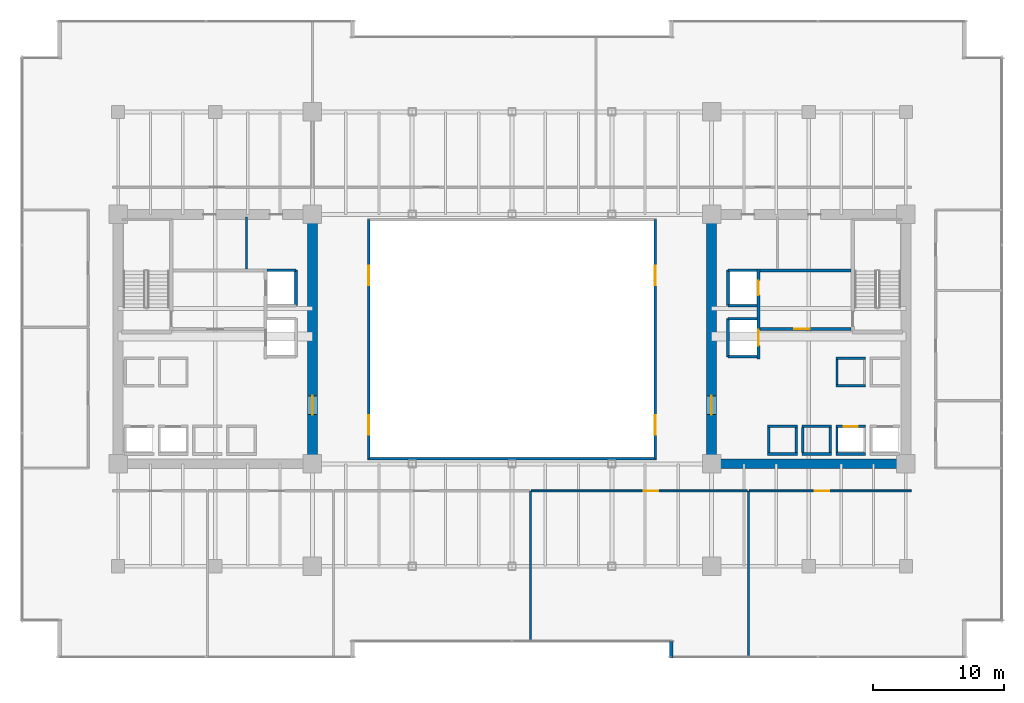
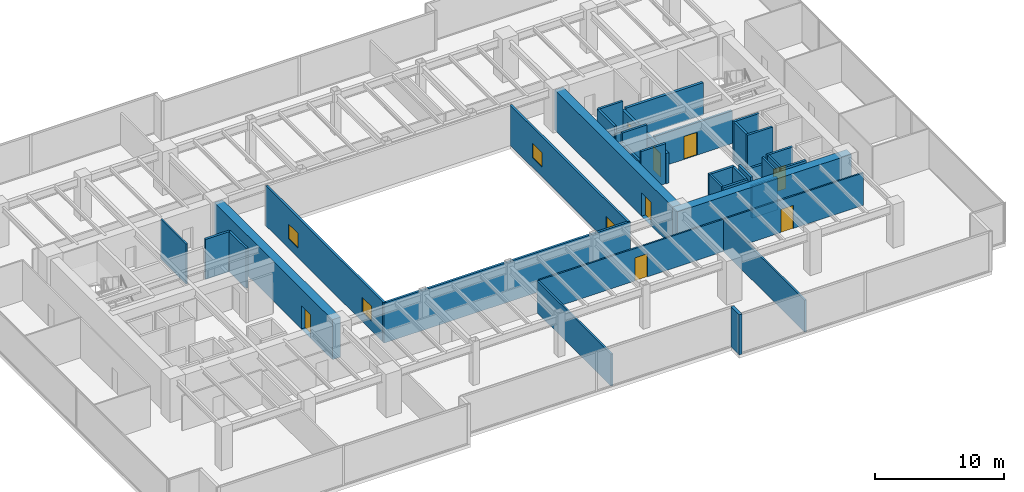
# One storey, part 30 of 35: 37 walls, 8 doors, 4 windows, 12 openings.
"""IFC4 building model written with IfcOpenShell, lengths in metres."""

from ifc_helpers import new_model, si_unit, direction, frame, frame_2d, origin, place, context, subcontext, project, spatial, rectangle, extrude, source, transform, mapped, material, layer, layer_set, type_object, type_shapes, element, fill, save


model = new_model("IFC4")

# Units and contexts
model_context = context("Model", 3, precision=1e-05, world=origin(), true_north=direction((0.0, 1.0)))
body_context = subcontext(model_context, "Body", "Model", "MODEL_VIEW")
ifc_project = project(units=[si_unit("LENGTHUNIT", "METRE"), si_unit("AREAUNIT", "SQUARE_METRE"), si_unit("VOLUMEUNIT", "CUBIC_METRE"), si_unit("PLANEANGLEUNIT", "RADIAN"), si_unit("MASSUNIT", "GRAM", prefix="KILO")], contexts=[model_context])

# Site, building, storey
site_placement = place(None, origin())
site = spatial("IfcSite", under=ifc_project, at=site_placement, CompositionType="ELEMENT")
building_placement = place(site_placement, origin())
building = spatial("IfcBuilding", under=site, at=building_placement, Name="Haelvirn Gate Laboratories", CompositionType="ELEMENT")
storey_placement = place(building_placement, frame((0.0, 0.0, 41.60009765625)))
storey = spatial("IfcBuildingStorey", under=building, at=storey_placement, Name="L10", CompositionType="ELEMENT", Elevation=41.60009765625)

# Walls
ifc_material_1 = material(Name="Thermally-broken bronze aluminium rainscreen & mineral wool", Category="aluminium")
ifc_layer_1 = layer(ifc_material_1, 0.280029296875, Name="EW-TERR-280")
ifc_layer_set_1 = layer_set([ifc_layer_1], Name="Thermally-broken bronze aluminium rainscreen & mineral wool")
wall_type_1 = type_object("IfcWallType", Name="EW-TERR-280", PredefinedType="STANDARD", material=ifc_layer_set_1)
wall_1_placement = place(storey_placement, frame((49.5400390625, 1.2880859375, 0.0), z_axis=(0.0, 0.0, 1.0), x_axis=(0.0, -1.0, 0.0)))
element("IfcWall", 1, at=wall_1_placement, inside=storey, type_object=wall_type_1, Name="L10 Atrium Recess Bronze Return Wall 03", PredefinedType="STANDARD", context=body_context, shape_type="SweptSolid", body=[
    extrude(rectangle(XDim=1.2880859375, YDim=0.280029296875, at=frame_2d((0.64404296875, 0.0))), origin(), (0.0, 0.0, 1.0), 3.77978515625),
])
ifc_material_2 = material(Name="Double-layer acoustic gypsum laboratory partition", Category="gypsum")
ifc_layer_2 = layer(ifc_material_2, 0.159912109375, Name="IW-ACOUST-160")
ifc_layer_set_2 = layer_set([ifc_layer_2], Name="Double-layer acoustic gypsum laboratory partition")
wall_type_2 = type_object("IfcWallType", Name="IW-ACOUST-160", PredefinedType="PARTITIONING", material=ifc_layer_set_2)
wall_2_placement = place(storey_placement, frame((38.800048828125, 1.31005859375, 0.0), z_axis=(0.0, 0.0, 1.0), x_axis=(0.0, 1.0, 0.0)))
element("IfcWall", 2, at=wall_2_placement, inside=storey, type_object=wall_type_2, Name="L10 Interior Wall IW-L10-SDIV-03", PredefinedType="PARTITIONING", context=body_context, shape_type="SweptSolid", body=[
    extrude(rectangle(XDim=11.429931640625, YDim=0.159912109375, at=frame_2d((5.71484375, 0.0))), origin(), (0.0, 0.0, 1.0), 3.014892578125),
])
wall_3_placement = place(storey_placement, frame((55.39990234375, 0.110107421875, 0.0), z_axis=(0.0, 0.0, 1.0), x_axis=(0.0, 1.0, 0.0)))
element("IfcWall", 3, at=wall_3_placement, inside=storey, type_object=wall_type_2, Name="L10 Interior Wall IW-L10-SDIV-04", PredefinedType="PARTITIONING", context=body_context, shape_type="SweptSolid", body=[
    extrude(rectangle(XDim=12.6298828125, YDim=0.159912109375, at=frame_2d((6.31494140625, 0.0))), origin(), (0.0, 0.0, 1.0), 3.014892578125),
])

# Wall, openings, windows
ifc_material_3 = material(Name="Tempered fire-rated borosilicate glass & anodised aluminium", Category="aluminium")
ifc_layer_3 = layer(ifc_material_3, 0.195068359375, Name="IW-GLAZ-200")
ifc_layer_set_3 = layer_set([ifc_layer_3], Name="Tempered fire-rated borosilicate glass & anodised aluminium")
wall_type_3 = type_object("IfcWallType", Name="IW-GLAZ-200", PredefinedType="SOLIDWALL", material=ifc_layer_set_3)
wall_4_placement = place(storey_placement, frame((26.5, 15.199951171875, 0.0), z_axis=(0.0, 0.0, 1.0), x_axis=(0.0, 1.0, 0.0)))
wall_4 = element("IfcWall", 4, at=wall_4_placement, inside=storey, type_object=wall_type_3, Name="L10 Interior Wall IW-L10-ATRIUM-W", PredefinedType="SOLIDWALL", context=body_context, shape_type="SweptSolid", body=[
    extrude(rectangle(XDim=18.199951171875, YDim=0.195068359375, at=frame_2d((9.10009765625, 0.0))), origin(), (0.0, 0.0, 1.0), 3.77978515625),
])
opening_1_placement = place(wall_4_placement, frame((1.800048828125, 0.0, 0.89990234375)))
opening_1 = element("IfcOpeningElement", 5, at=opening_1_placement, cuts=wall_4, Name="Opening W5", PredefinedType="OPENING", context=body_context, shape_type="SweptSolid", body=[
    extrude(rectangle(XDim=1.5, YDim=1.39990234375, at=frame_2d((0.75, 0.699951171875))), frame((0.0, 0.107421875, 0.0), z_axis=(0.0, -1.0, 0.0), x_axis=(1.0, 0.0, 0.0)), (0.0, 0.0, 1.0), 0.215087890625),
])
opening_2_placement = place(wall_4_placement, frame((13.199951171875, 0.0, 0.89990234375)))
opening_2 = element("IfcOpeningElement", 6, at=opening_2_placement, cuts=wall_4, Name="Opening W5", PredefinedType="OPENING", context=body_context, shape_type="SweptSolid", body=[
    extrude(rectangle(XDim=1.5, YDim=1.39990234375, at=frame_2d((0.75, 0.699951171875))), frame((0.0, 0.107421875, 0.0), z_axis=(0.0, -1.0, 0.0), x_axis=(1.0, 0.0, 0.0)), (0.0, 0.0, 1.0), 0.215087890625),
])
ifc_material_4 = material(Name="Fire-rated EI 120 borosilicate atrium vision glazing", Category="glass")
window_type = type_object("IfcWindowType", Name="WN-ATR-1500", PartitioningType="SINGLE_PANEL", PredefinedType="WINDOW", material=ifc_material_4)
shared_shape_1 = source(origin(), body_context, "Body", "SweptSolid", [
    extrude(rectangle(XDim=1.5, YDim=1.39990234375, at=frame_2d((0.75, 0.699951171875))), frame((0.0, 0.030029296875, 0.0), z_axis=(0.0, -1.0, 0.0), x_axis=(1.0, 0.0, 0.0)), (0.0, 0.0, 1.0), 0.06005859375),
])
type_shapes(window_type, [shared_shape_1])
window_1_placement = place(opening_1_placement, origin())
window_1 = element("IfcWindow", 7, at=window_1_placement, inside=storey, type_object=window_type, Name="L10 Atrium Observation Window 1", OverallHeight=1.39990234375, OverallWidth=1.5, PartitioningType="SINGLE_PANEL", PredefinedType="WINDOW", context=body_context, shape_type="MappedRepresentation", body=[
    mapped(shared_shape_1, transform((0.0, 0.0, 0.0), scale=1.0)),
])
fill(opening_1, window_1)
window_2_placement = place(opening_2_placement, origin())
window_2 = element("IfcWindow", 8, at=window_2_placement, inside=storey, type_object=window_type, Name="L10 Atrium Observation Window 2", OverallHeight=1.39990234375, OverallWidth=1.5, PartitioningType="SINGLE_PANEL", PredefinedType="WINDOW", context=body_context, shape_type="MappedRepresentation", body=[
    mapped(shared_shape_1, transform((0.0, 0.0, 0.0), scale=1.0)),
])
fill(opening_2, window_2)

wall_5_placement = place(storey_placement, frame((48.300048828125, 15.199951171875, 0.0), z_axis=(0.0, 0.0, 1.0), x_axis=(0.0, 1.0, 0.0)))
wall_5 = element("IfcWall", 9, at=wall_5_placement, inside=storey, type_object=wall_type_3, Name="L10 Interior Wall IW-L10-ATRIUM-E", PredefinedType="SOLIDWALL", context=body_context, shape_type="SweptSolid", body=[
    extrude(rectangle(XDim=18.199951171875, YDim=0.195068359375, at=frame_2d((9.10009765625, 0.0))), origin(), (0.0, 0.0, 1.0), 3.77978515625),
])
opening_3_placement = place(wall_5_placement, frame((1.800048828125, 0.0, 0.89990234375)))
opening_3 = element("IfcOpeningElement", 10, at=opening_3_placement, cuts=wall_5, Name="Opening W5", PredefinedType="OPENING", context=body_context, shape_type="SweptSolid", body=[
    extrude(rectangle(XDim=1.5, YDim=1.39990234375, at=frame_2d((0.75, 0.699951171875))), frame((0.0, 0.107421875, 0.0), z_axis=(0.0, -1.0, 0.0), x_axis=(1.0, 0.0, 0.0)), (0.0, 0.0, 1.0), 0.215087890625),
])
opening_4_placement = place(wall_5_placement, frame((13.199951171875, 0.0, 0.89990234375)))
opening_4 = element("IfcOpeningElement", 11, at=opening_4_placement, cuts=wall_5, Name="Opening W5", PredefinedType="OPENING", context=body_context, shape_type="SweptSolid", body=[
    extrude(rectangle(XDim=1.5, YDim=1.39990234375, at=frame_2d((0.75, 0.699951171875))), frame((0.0, 0.107421875, 0.0), z_axis=(0.0, -1.0, 0.0), x_axis=(1.0, 0.0, 0.0)), (0.0, 0.0, 1.0), 0.215087890625),
])
window_3_placement = place(opening_3_placement, origin())
window_3 = element("IfcWindow", 12, at=window_3_placement, inside=storey, type_object=window_type, Name="L10 Atrium Observation Window 1", OverallHeight=1.39990234375, OverallWidth=1.5, PartitioningType="SINGLE_PANEL", PredefinedType="WINDOW", context=body_context, shape_type="MappedRepresentation", body=[
    mapped(shared_shape_1, transform((0.0, 0.0, 0.0), scale=1.0)),
])
fill(opening_3, window_3)
window_4_placement = place(opening_4_placement, origin())
window_4 = element("IfcWindow", 13, at=window_4_placement, inside=storey, type_object=window_type, Name="L10 Atrium Observation Window 2", OverallHeight=1.39990234375, OverallWidth=1.5, PartitioningType="SINGLE_PANEL", PredefinedType="WINDOW", context=body_context, shape_type="MappedRepresentation", body=[
    mapped(shared_shape_1, transform((0.0, 0.0, 0.0), scale=1.0)),
])
fill(opening_4, window_4)

# Wall
wall_6_placement = place(storey_placement, frame((26.39990234375, 15.199951171875, 0.0), z_axis=(0.0, 0.0, 1.0), x_axis=(1.0, 0.0, 0.0)))
element("IfcWall", 14, at=wall_6_placement, inside=storey, type_object=wall_type_3, Name="L10 Interior Wall IW-L10-ATRIUM-S", PredefinedType="SOLIDWALL", context=body_context, shape_type="SweptSolid", body=[
    extrude(rectangle(XDim=22.0, YDim=0.195068359375, at=frame_2d((11.0, 0.0))), origin(), (0.0, 0.0, 1.0), 3.77978515625),
])

# Wall, opening, door
ifc_material_5 = material(Name="Acoustic mineral-wool gypsum board partition", Category="gypsum")
ifc_layer_4 = layer(ifc_material_5, 0.139892578125, Name="IW-PART-140")
ifc_layer_set_4 = layer_set([ifc_layer_4], Name="Acoustic mineral-wool gypsum board partition")
wall_type_4 = type_object("IfcWallType", Name="IW-PART-140", PredefinedType="PARTITIONING", material=ifc_layer_set_4)
wall_7_placement = place(storey_placement, frame((38.8798828125, 12.739990234375, 0.0), z_axis=(0.0, 0.0, 1.0), x_axis=(1.0, 0.0, 0.0)))
wall_7 = element("IfcWall", 15, at=wall_7_placement, inside=storey, type_object=wall_type_4, Name="L10 Interior Wall IW-L10-SCORR-04", PredefinedType="PARTITIONING", context=body_context, shape_type="SweptSolid", body=[
    extrude(rectangle(XDim=16.440185546875, YDim=0.139892578125, at=frame_2d((8.22021484375, 0.0))), origin(), (0.0, 0.0, 1.0), 3.06494140625),
])
opening_5_placement = place(wall_7_placement, frame((8.54833984375, 0.0, 0.0)))
opening_5 = element("IfcOpeningElement", 16, at=opening_5_placement, cuts=wall_7, Name="Opening D1", PredefinedType="OPENING", context=body_context, shape_type="SweptSolid", body=[
    extrude(rectangle(XDim=1.10009765625, YDim=2.179931640625, at=frame_2d((0.550048828125, 1.08984375))), frame((0.0, 0.080078125, 0.0), z_axis=(0.0, -1.0, 0.0), x_axis=(1.0, 0.0, 0.0)), (0.0, 0.0, 1.0), 0.159912109375),
])
ifc_material_6 = material(Name="Vision-panel acoustic solid-core timber lab door", Category="wood")
door_type_1 = type_object("IfcDoorType", Name="DR-LAB-1100", OperationType="NOTDEFINED", PredefinedType="DOOR", material=ifc_material_6)
shared_shape_2 = source(origin(), body_context, "Body", "SweptSolid", [
    extrude(rectangle(XDim=1.10009765625, YDim=2.179931640625, at=frame_2d((0.550048828125, 1.08984375))), frame((0.0, 0.02490234375, 0.0), z_axis=(0.0, -1.0, 0.0), x_axis=(1.0, 0.0, 0.0)), (0.0, 0.0, 1.0), 0.050048828125),
])
type_shapes(door_type_1, [shared_shape_2])
door_1_placement = place(opening_5_placement, origin())
door_1 = element("IfcDoor", 17, at=door_1_placement, inside=storey, type_object=door_type_1, Name="L10 Translational Data Office Door S4", OperationType="SINGLE_SWING_RIGHT", OverallHeight=2.179931640625, OverallWidth=1.10009765625, PredefinedType="DOOR", context=body_context, shape_type="MappedRepresentation", body=[
    mapped(shared_shape_2, transform((0.0, 0.0, 0.0), scale=1.0)),
])
fill(opening_5, door_1)

wall_8_placement = place(storey_placement, frame((55.47998046875, 12.739990234375, 0.0), z_axis=(0.0, 0.0, 1.0), x_axis=(1.0, 0.0, 0.0)))
wall_8 = element("IfcWall", 18, at=wall_8_placement, inside=storey, type_object=wall_type_4, Name="L10 Interior Wall IW-L10-SCORR-05", PredefinedType="PARTITIONING", context=body_context, shape_type="SweptSolid", body=[
    extrude(rectangle(XDim=12.340087890625, YDim=0.139892578125, at=frame_2d((6.169921875, 0.0))), origin(), (0.0, 0.0, 1.0), 3.06494140625),
])
opening_6_placement = place(wall_8_placement, frame((4.987548828125, 0.0, 0.0)))
opening_6 = element("IfcOpeningElement", 19, at=opening_6_placement, cuts=wall_8, Name="Opening D1", PredefinedType="OPENING", context=body_context, shape_type="SweptSolid", body=[
    extrude(rectangle(XDim=1.10009765625, YDim=2.179931640625, at=frame_2d((0.550048828125, 1.08984375))), frame((0.0, 0.080078125, 0.0), z_axis=(0.0, -1.0, 0.0), x_axis=(1.0, 0.0, 0.0)), (0.0, 0.0, 1.0), 0.159912109375),
])
door_2_placement = place(opening_6_placement, origin())
door_2 = element("IfcDoor", 20, at=door_2_placement, inside=storey, type_object=door_type_1, Name="L10 Researcher Quiet Study Door S5", OperationType="SINGLE_SWING_LEFT", OverallHeight=2.179931640625, OverallWidth=1.10009765625, PredefinedType="DOOR", context=body_context, shape_type="MappedRepresentation", body=[
    mapped(shared_shape_2, transform((0.0, 0.0, 0.0), scale=1.0)),
])
fill(opening_6, door_2)

# Walls
ifc_material_7 = material(Name="Cement-board restroom plumbing chase wall", Category="gypsum")
ifc_layer_5 = layer(ifc_material_7, 0.155029296875, Name="IW-PLUMB-160")
ifc_layer_set_5 = layer_set([ifc_layer_5], Name="Cement-board restroom plumbing chase wall")
wall_type_5 = type_object("IfcWallType", Name="IW-PLUMB-160", PredefinedType="PLUMBINGWALL", material=ifc_layer_set_5)
wall_9_placement = place(storey_placement, frame((17.18994140625, 29.64990234375, 0.0), z_axis=(0.0, 0.0, 1.0), x_axis=(0.0, 1.0, 0.0)))
element("IfcWall", 21, at=wall_9_placement, inside=storey, type_object=wall_type_5, Name="L10 Interior Wall IW-L10-W-CDIV-1", PredefinedType="PLUMBINGWALL", context=body_context, shape_type="SweptSolid", body=[
    extrude(rectangle(XDim=3.93017578125, YDim=0.155029296875, at=frame_2d((1.965087890625, 0.0))), origin(), (0.0, 0.0, 1.0), 3.77978515625),
])
ifc_material_8 = material(Name="Concrete C40/50", Category="concrete")
ifc_layer_6 = layer(ifc_material_8, 0.179931640625, Name="IW-SHAFT-180")
ifc_layer_set_6 = layer_set([ifc_layer_6], Name="Concrete C40/50")
wall_type_6 = type_object("IfcWallType", Name="IW-SHAFT-180", PredefinedType="SOLIDWALL", material=ifc_layer_set_6)
for number, where, z_axis, x_axis, name in (
    (22, (62.14990234375, 15.64990234375, 0.0), (0.0, 0.0, 1.0), (0.0, 1.0, 0.0), "L10 Interior Wall IW-L10-PL4-SD"),
    (23, (59.550048828125, 15.64990234375, 0.0), (0.0, 0.0, 1.0), (0.0, 1.0, 0.0), "L10 Interior Wall IW-L10-PL7-SD"),
    (24, (61.64990234375, 15.64990234375, 0.0), (0.0, 0.0, 1.0), (0.0, 1.0, 0.0), "L10 Interior Wall IW-L10-PL7-SDE"),
    (25, (56.949951171875, 15.64990234375, 0.0), (0.0, 0.0, 1.0), (0.0, 1.0, 0.0), "L10 Interior Wall IW-L10-PL8-SD"),
    (26, (59.050048828125, 15.64990234375, 0.0), (0.0, 0.0, 1.0), (0.0, 1.0, 0.0), "L10 Interior Wall IW-L10-PL8-SDE"),
):
    element("IfcWall", number, at=place(storey_placement, frame(where, z_axis=z_axis, x_axis=x_axis)), inside=storey, type_object=wall_type_6, Name=name, PredefinedType="SOLIDWALL", context=body_context, shape_type="SweptSolid", body=[
        extrude(rectangle(XDim=1.900146484375, YDim=0.179931640625, at=frame_2d((0.9501953125, 0.0))), origin(), (0.0, 0.0, 1.0), 3.77978515625),
    ])
wall_10_placement = place(storey_placement, frame((62.14990234375, 20.85009765625, 0.0), z_axis=(0.0, 0.0, 1.0), x_axis=(0.0, 1.0, 0.0)))
element("IfcWall", 27, at=wall_10_placement, inside=storey, type_object=wall_type_6, Name="L10 Interior Wall IW-L10-PL12-SD", PredefinedType="SOLIDWALL", context=body_context, shape_type="SweptSolid", body=[
    extrude(rectangle(XDim=1.89990234375, YDim=0.179931640625, at=frame_2d((0.949951171875, 0.0))), origin(), (0.0, 0.0, 1.0), 3.77978515625),
])
ifc_layer_7 = layer(ifc_material_8, 0.199951171875, Name="IW-SHAFT-200")
ifc_layer_set_7 = layer_set([ifc_layer_7], Name="Concrete C40/50")
wall_type_7 = type_object("IfcWallType", Name="IW-SHAFT-200", PredefinedType="SOLIDWALL", material=ifc_layer_set_7)
wall_11_placement = place(storey_placement, frame((20.949951171875, 26.85009765625, 0.0), z_axis=(0.0, 0.0, 1.0), x_axis=(0.0, 1.0, 0.0)))
element("IfcWall", 28, at=wall_11_placement, inside=storey, type_object=wall_type_7, Name="L10 Interior Wall IW-L10-FL1-BK", PredefinedType="SOLIDWALL", context=body_context, shape_type="SweptSolid", body=[
    extrude(rectangle(XDim=2.699951171875, YDim=0.199951171875, at=frame_2d((1.35009765625, 0.0))), origin(), (0.0, 0.0, 1.0), 3.77978515625),
])
wall_12_placement = place(storey_placement, frame((18.760009765625, 29.550048828125, 0.0), z_axis=(0.0, 0.0, 1.0), x_axis=(1.0, 0.0, 0.0)))
element("IfcWall", 29, at=wall_12_placement, inside=storey, type_object=wall_type_7, Name="L10 Interior Wall IW-L10-FL1-N", PredefinedType="SOLIDWALL", context=body_context, shape_type="SweptSolid", body=[
    extrude(rectangle(XDim=2.18994140625, YDim=0.199951171875, at=frame_2d((1.094970703125, 0.0))), origin(), (0.0, 0.0, 1.0), 3.77978515625),
])

# Wall, opening, door
wall_13_placement = place(storey_placement, frame((62.070068359375, 17.64990234375, 0.0), z_axis=(0.0, 0.0, 1.0), x_axis=(1.0, 0.0, 0.0)))
wall_13 = element("IfcWall", 30, at=wall_13_placement, inside=storey, type_object=wall_type_7, Name="L10 Interior Wall IW-L10-PL4-FR", PredefinedType="SOLIDWALL", context=body_context, shape_type="SweptSolid", body=[
    extrude(rectangle(XDim=2.260009765625, YDim=0.199951171875, at=frame_2d((1.1298828125, 0.0))), origin(), (0.0, 0.0, 1.0), 3.77978515625),
])
opening_7_placement = place(wall_13_placement, frame((0.580078125, 0.0, 0.0)))
opening_7 = element("IfcOpeningElement", 31, at=opening_7_placement, cuts=wall_13, Name="Opening LD2", PredefinedType="OPENING", context=body_context, shape_type="SweptSolid", body=[
    extrude(rectangle(XDim=1.10009765625, YDim=2.219970703125, at=frame_2d((0.550048828125, 1.10986328125))), frame((0.0, 0.10986328125, 0.0), z_axis=(0.0, -1.0, 0.0), x_axis=(1.0, 0.0, 0.0)), (0.0, 0.0, 1.0), 0.219970703125),
])
ifc_material_9 = material(Name="Bronze stainless 316L sliding lift landing door")
door_type_2 = type_object("IfcDoorType", Name="DR-LD-1100", OperationType="NOTDEFINED", PredefinedType="USERDEFINED", material=ifc_material_9)
shared_shape_3 = source(origin(), body_context, "Body", "SweptSolid", [
    extrude(rectangle(XDim=1.10009765625, YDim=2.219970703125, at=frame_2d((0.550048828125, 1.10986328125))), frame((0.0, 0.02490234375, 0.0), z_axis=(0.0, -1.0, 0.0), x_axis=(1.0, 0.0, 0.0)), (0.0, 0.0, 1.0), 0.050048828125),
])
type_shapes(door_type_2, [shared_shape_3])
door_3_placement = place(opening_7_placement, origin())
door_3 = element("IfcDoor", 32, at=door_3_placement, inside=storey, type_object=door_type_2, Name="L10 Passenger Lift PL4 Landing Door", ObjectType="LANDING_DOOR", OperationType="SLIDING_TO_RIGHT", OverallHeight=2.219970703125, OverallWidth=1.10009765625, PredefinedType="USERDEFINED", context=body_context, shape_type="MappedRepresentation", body=[
    mapped(shared_shape_3, transform((0.0, 0.0, 0.0), scale=1.0)),
])
fill(opening_7, door_3)

# Walls
wall_14_placement = place(storey_placement, frame((62.070068359375, 15.550048828125, 0.0), z_axis=(0.0, 0.0, 1.0), x_axis=(1.0, 0.0, 0.0)))
element("IfcWall", 33, at=wall_14_placement, inside=storey, type_object=wall_type_7, Name="L10 Interior Wall IW-L10-PL4-BK", PredefinedType="SOLIDWALL", context=body_context, shape_type="SweptSolid", body=[
    extrude(rectangle(XDim=2.260009765625, YDim=0.199951171875, at=frame_2d((1.1298828125, 0.0))), origin(), (0.0, 0.0, 1.0), 3.77978515625),
])
for number, where, z_axis, x_axis, name in (
    (34, (59.469970703125, 17.64990234375, 0.0), (0.0, 0.0, 1.0), (1.0, 0.0, 0.0), "L10 Interior Wall IW-L10-PL7-FR"),
    (35, (59.469970703125, 15.550048828125, 0.0), (0.0, 0.0, 1.0), (1.0, 0.0, 0.0), "L10 Interior Wall IW-L10-PL7-BK"),
):
    element("IfcWall", number, at=place(storey_placement, frame(where, z_axis=z_axis, x_axis=x_axis)), inside=storey, type_object=wall_type_7, Name=name, PredefinedType="SOLIDWALL", context=body_context, shape_type="SweptSolid", body=[
        extrude(rectangle(XDim=2.260009765625, YDim=0.199951171875, at=frame_2d((1.1298828125, 0.0))), origin(), (0.0, 0.0, 1.0), 3.06494140625),
    ])
for number, where, z_axis, x_axis, name in (
    (36, (56.8701171875, 17.64990234375, 0.0), (0.0, 0.0, 1.0), (1.0, 0.0, 0.0), "L10 Interior Wall IW-L10-PL8-FR"),
    (37, (56.8701171875, 15.550048828125, 0.0), (0.0, 0.0, 1.0), (1.0, 0.0, 0.0), "L10 Interior Wall IW-L10-PL8-BK"),
):
    element("IfcWall", number, at=place(storey_placement, frame(where, z_axis=z_axis, x_axis=x_axis)), inside=storey, type_object=wall_type_7, Name=name, PredefinedType="SOLIDWALL", context=body_context, shape_type="SweptSolid", body=[
        extrude(rectangle(XDim=2.259765625, YDim=0.199951171875, at=frame_2d((1.1298828125, 0.0))), origin(), (0.0, 0.0, 1.0), 3.77978515625),
    ])
for number, where, z_axis, x_axis, name in (
    (38, (62.070068359375, 20.75, 0.0), (0.0, 0.0, 1.0), (1.0, 0.0, 0.0), "L10 Interior Wall IW-L10-PL12-FR"),
    (39, (62.070068359375, 22.85009765625, 0.0), (0.0, 0.0, 1.0), (1.0, 0.0, 0.0), "L10 Interior Wall IW-L10-PL12-BK"),
):
    element("IfcWall", number, at=place(storey_placement, frame(where, z_axis=z_axis, x_axis=x_axis)), inside=storey, type_object=wall_type_7, Name=name, PredefinedType="SOLIDWALL", context=body_context, shape_type="SweptSolid", body=[
        extrude(rectangle(XDim=2.260009765625, YDim=0.199951171875, at=frame_2d((1.1298828125, 0.0))), origin(), (0.0, 0.0, 1.0), 3.77978515625),
    ])
wall_15_placement = place(storey_placement, frame((53.85009765625, 26.85009765625, 0.0), z_axis=(0.0, 0.0, 1.0), x_axis=(0.0, 1.0, 0.0)))
element("IfcWall", 40, at=wall_15_placement, inside=storey, type_object=wall_type_7, Name="L10 Interior Wall IW-L10-FL2-BK", PredefinedType="SOLIDWALL", context=body_context, shape_type="SweptSolid", body=[
    extrude(rectangle(XDim=2.699951171875, YDim=0.199951171875, at=frame_2d((1.35009765625, 0.0))), origin(), (0.0, 0.0, 1.0), 3.77978515625),
])
wall_16_placement = place(storey_placement, frame((53.85009765625, 29.550048828125, 0.0), z_axis=(0.0, 0.0, 1.0), x_axis=(1.0, 0.0, 0.0)))
element("IfcWall", 41, at=wall_16_placement, inside=storey, type_object=wall_type_7, Name="L10 Interior Wall IW-L10-FL2-N", PredefinedType="SOLIDWALL", context=body_context, shape_type="SweptSolid", body=[
    extrude(rectangle(XDim=2.18994140625, YDim=0.199951171875, at=frame_2d((1.094970703125, 0.0))), origin(), (0.0, 0.0, 1.0), 3.77978515625),
])
wall_17_placement = place(storey_placement, frame((53.85009765625, 26.85009765625, 0.0), z_axis=(0.0, 0.0, 1.0), x_axis=(1.0, 0.0, 0.0)))
element("IfcWall", 42, at=wall_17_placement, inside=storey, type_object=wall_type_7, Name="L10 Interior Wall IW-L10-FL2-S", PredefinedType="SOLIDWALL", context=body_context, shape_type="SweptSolid", body=[
    extrude(rectangle(XDim=2.18994140625, YDim=0.199951171875, at=frame_2d((1.094970703125, 0.0))), origin(), (0.0, 0.0, 1.0), 3.177001953125),
])
wall_18_placement = place(storey_placement, frame((53.85009765625, 22.949951171875, 0.0), z_axis=(0.0, 0.0, 1.0), x_axis=(0.0, 1.0, 0.0)))
element("IfcWall", 43, at=wall_18_placement, inside=storey, type_object=wall_type_7, Name="L10 Interior Wall IW-L10-SL2-BK", PredefinedType="SOLIDWALL", context=body_context, shape_type="SweptSolid", body=[
    extrude(rectangle(XDim=2.900146484375, YDim=0.199951171875, at=frame_2d((1.4501953125, 0.0))), origin(), (0.0, 0.0, 1.0), 2.864990234375),
])
for number, where, z_axis, x_axis, name in (
    (44, (53.85009765625, 25.85009765625, 0.0), (0.0, 0.0, 1.0), (1.0, 0.0, 0.0), "L10 Interior Wall IW-L10-SL2-N"),
    (45, (53.85009765625, 22.949951171875, 0.0), (0.0, 0.0, 1.0), (1.0, 0.0, 0.0), "L10 Interior Wall IW-L10-SL2-S"),
):
    element("IfcWall", number, at=place(storey_placement, frame(where, z_axis=z_axis, x_axis=x_axis)), inside=storey, type_object=wall_type_7, Name=name, PredefinedType="SOLIDWALL", context=body_context, shape_type="SweptSolid", body=[
        extrude(rectangle(XDim=2.18994140625, YDim=0.199951171875, at=frame_2d((1.094970703125, 0.0))), origin(), (0.0, 0.0, 1.0), 3.77978515625),
    ])

# Wall, opening, door
ifc_layer_8 = layer(ifc_material_8, 0.239990234375, Name="IW-SHAFT-240")
ifc_layer_set_8 = layer_set([ifc_layer_8], Name="Concrete C40/50")
wall_type_8 = type_object("IfcWallType", Name="IW-SHAFT-240", PredefinedType="SOLIDWALL", material=ifc_layer_set_8)
wall_19_placement = place(storey_placement, frame((56.280029296875, 25.080078125, 0.0), z_axis=(0.0, 0.0, 1.0), x_axis=(1.0, 0.0, 0.0)))
wall_19 = element("IfcWall", 46, at=wall_19_placement, inside=storey, type_object=wall_type_8, Name="L10 Interior Wall IW-L10-E-FF-S", PredefinedType="SOLIDWALL", context=body_context, shape_type="SweptSolid", body=[
    extrude(rectangle(XDim=6.919921875, YDim=0.239990234375, at=frame_2d((3.4599609375, 0.0))), origin(), (0.0, 0.0, 1.0), 3.06494140625),
])
opening_8_placement = place(wall_19_placement, frame((2.60009765625, 0.0, 0.0)))
opening_8 = element("IfcOpeningElement", 47, at=opening_8_placement, cuts=wall_19, Name="Opening FD2", PredefinedType="OPENING", context=body_context, shape_type="SweptSolid", body=[
    extrude(rectangle(XDim=1.199951171875, YDim=2.159912109375, at=frame_2d((0.60009765625, 1.080078125))), frame((0.0, 0.1298828125, 0.0), z_axis=(0.0, -1.0, 0.0), x_axis=(1.0, 0.0, 0.0)), (0.0, 0.0, 1.0), 0.260009765625),
])
ifc_material_10 = material(Name="Fire-rated steel SM355 compartment door", Category="steel")
door_type_3 = type_object("IfcDoorType", Name="DR-FD-1200", OperationType="NOTDEFINED", PredefinedType="DOOR", material=ifc_material_10)
shared_shape_4 = source(origin(), body_context, "Body", "SweptSolid", [
    extrude(rectangle(XDim=1.199951171875, YDim=2.159912109375, at=frame_2d((0.60009765625, 1.080078125))), frame((0.0, 0.02490234375, 0.0), z_axis=(0.0, -1.0, 0.0), x_axis=(1.0, 0.0, 0.0)), (0.0, 0.0, 1.0), 0.050048828125),
])
type_shapes(door_type_3, [shared_shape_4])
door_4_placement = place(opening_8_placement, origin())
door_4 = element("IfcDoor", 48, at=door_4_placement, inside=storey, type_object=door_type_3, Name="L10 East Firefighting Lobby Door", OperationType="SINGLE_SWING_LEFT", OverallHeight=2.159912109375, OverallWidth=1.199951171875, PredefinedType="DOOR", context=body_context, shape_type="MappedRepresentation", body=[
    mapped(shared_shape_4, transform((0.0, 0.0, 0.0), scale=1.0)),
])
fill(opening_8, door_4)

# Wall
wall_20_placement = place(storey_placement, frame((56.280029296875, 29.52001953125, 0.0), z_axis=(0.0, 0.0, 1.0), x_axis=(1.0, 0.0, 0.0)))
element("IfcWall", 49, at=wall_20_placement, inside=storey, type_object=wall_type_8, Name="L10 Interior Wall IW-L10-E-FF-N", PredefinedType="SOLIDWALL", context=body_context, shape_type="SweptSolid", body=[
    extrude(rectangle(XDim=6.919921875, YDim=0.239990234375, at=frame_2d((3.4599609375, 0.0))), origin(), (0.0, 0.0, 1.0), 3.06494140625),
])

# Wall, openings, doors
wall_21_placement = place(storey_placement, frame((56.159912109375, 22.800048828125, 0.0), z_axis=(0.0, 0.0, 1.0), x_axis=(0.0, 1.0, 0.0)))
wall_21 = element("IfcWall", 50, at=wall_21_placement, inside=storey, type_object=wall_type_8, Name="L10 Interior Wall IW-L10-E-FF-E", PredefinedType="SOLIDWALL", context=body_context, shape_type="SweptSolid", body=[
    extrude(rectangle(XDim=6.849853515625, YDim=0.239990234375, at=frame_2d((3.4248046875, 0.0))), origin(), (0.0, 0.0, 1.0), 2.864990234375),
])
opening_9_placement = place(wall_21_placement, frame((4.85009765625, 0.0, 0.0)))
opening_9 = element("IfcOpeningElement", 51, at=opening_9_placement, cuts=wall_21, Name="Opening LD2", PredefinedType="OPENING", context=body_context, shape_type="SweptSolid", body=[
    extrude(rectangle(XDim=1.10009765625, YDim=2.219970703125, at=frame_2d((0.550048828125, 1.10986328125))), frame((0.0, 0.1298828125, 0.0), z_axis=(0.0, -1.0, 0.0), x_axis=(1.0, 0.0, 0.0)), (0.0, 0.0, 1.0), 0.260009765625),
])
opening_10_placement = place(wall_21_placement, frame((1.0, 0.0, 0.0)))
opening_10 = element("IfcOpeningElement", 52, at=opening_10_placement, cuts=wall_21, Name="Opening LD1", PredefinedType="OPENING", context=body_context, shape_type="SweptSolid", body=[
    extrude(rectangle(XDim=1.199951171875, YDim=2.219970703125, at=frame_2d((0.60009765625, 1.10986328125))), frame((0.0, 0.1298828125, 0.0), z_axis=(0.0, -1.0, 0.0), x_axis=(1.0, 0.0, 0.0)), (0.0, 0.0, 1.0), 0.260009765625),
])
door_5_placement = place(opening_9_placement, origin())
door_5 = element("IfcDoor", 53, at=door_5_placement, inside=storey, type_object=door_type_2, Name="L10 Firefighting Lift FL2 Landing Door", ObjectType="LANDING_DOOR", OperationType="SLIDING_TO_RIGHT", OverallHeight=2.219970703125, OverallWidth=1.10009765625, PredefinedType="USERDEFINED", context=body_context, shape_type="MappedRepresentation", body=[
    mapped(shared_shape_3, transform((0.0, 0.0, 0.0), scale=1.0)),
])
fill(opening_9, door_5)
ifc_material_11 = material(Name="Stainless steel 316L sliding goods landing door", Category="steel")
door_type_4 = type_object("IfcDoorType", Name="DR-LD-1200", OperationType="NOTDEFINED", PredefinedType="USERDEFINED", material=ifc_material_11)
shared_shape_5 = source(origin(), body_context, "Body", "SweptSolid", [
    extrude(rectangle(XDim=1.199951171875, YDim=2.219970703125, at=frame_2d((0.60009765625, 1.10986328125))), frame((0.0, 0.02490234375, 0.0), z_axis=(0.0, -1.0, 0.0), x_axis=(1.0, 0.0, 0.0)), (0.0, 0.0, 1.0), 0.050048828125),
])
type_shapes(door_type_4, [shared_shape_5])
door_6_placement = place(opening_10_placement, origin())
door_6 = element("IfcDoor", 54, at=door_6_placement, inside=storey, type_object=door_type_4, Name="L10 Service Lift SL2 Landing Door", ObjectType="LANDING_DOOR", OperationType="SLIDING_TO_LEFT", OverallHeight=2.219970703125, OverallWidth=1.199951171875, PredefinedType="USERDEFINED", context=body_context, shape_type="MappedRepresentation", body=[
    mapped(shared_shape_5, transform((0.0, 0.0, 0.0), scale=1.0)),
])
fill(opening_10, door_6)

# Wall, opening, door
ifc_material_12 = material(Name="Concrete C70/85", Category="concrete")
ifc_layer_9 = layer(ifc_material_12, 0.75, Name="SW-CORE-750")
ifc_layer_set_9 = layer_set([ifc_layer_9], Name="Concrete C70/85")
wall_type_9 = type_object("IfcWallType", Name="SW-CORE-750", PredefinedType="SHEAR", material=ifc_layer_set_9)
wall_22_placement = place(storey_placement, frame((22.199951171875, 15.175048828125, 0.0), z_axis=(0.0, 0.0, 1.0), x_axis=(0.0, 1.0, 0.0)))
wall_22 = element("IfcWall", 55, at=wall_22_placement, inside=storey, type_object=wall_type_9, Name="L10 W Core Shear Wall E", PredefinedType="SHEAR", context=body_context, shape_type="SweptSolid", body=[
    extrude(rectangle(XDim=18.25, YDim=0.75, at=frame_2d((9.125, 0.0))), origin(), (0.0, 0.0, 1.0), 3.77978515625),
])
opening_11_placement = place(wall_22_placement, frame((3.375, 0.0, 0.0)))
opening_11 = element("IfcOpeningElement", 56, at=opening_11_placement, cuts=wall_22, Name="Opening FD1", PredefinedType="OPENING", context=body_context, shape_type="SweptSolid", body=[
    extrude(rectangle(XDim=1.419921875, YDim=2.199951171875, at=frame_2d((0.7099609375, 1.10009765625))), frame((0.0, 0.385009765625, 0.0), z_axis=(0.0, -1.0, 0.0), x_axis=(1.0, 0.0, 0.0)), (0.0, 0.0, 1.0), 0.77001953125),
])
ifc_material_13 = material(Name="Fire-rated double steel SM355 lobby door", Category="steel")
door_type_5 = type_object("IfcDoorType", Name="DR-FD-1400", OperationType="NOTDEFINED", PredefinedType="DOOR", material=ifc_material_13)
shared_shape_6 = source(origin(), body_context, "Body", "SweptSolid", [
    extrude(rectangle(XDim=1.419921875, YDim=2.199951171875, at=frame_2d((0.7099609375, 1.10009765625))), frame((0.0, 0.02490234375, 0.0), z_axis=(0.0, -1.0, 0.0), x_axis=(1.0, 0.0, 0.0)), (0.0, 0.0, 1.0), 0.050048828125),
])
type_shapes(door_type_5, [shared_shape_6])
door_7_placement = place(opening_11_placement, origin())
door_7 = element("IfcDoor", 57, at=door_7_placement, inside=storey, type_object=door_type_5, Name="L10 West Core Lift Lobby Fire Door", OperationType="DOUBLE_DOOR_SINGLE_SWING", OverallHeight=2.199951171875, OverallWidth=1.419921875, PredefinedType="DOOR", context=body_context, shape_type="MappedRepresentation", body=[
    mapped(shared_shape_6, transform((0.0, 0.0, 0.0), scale=1.0)),
])
fill(opening_11, door_7)

# Wall
wall_23_placement = place(storey_placement, frame((52.22509765625, 14.800048828125, 0.0), z_axis=(0.0, 0.0, 1.0), x_axis=(1.0, 0.0, 0.0)))
element("IfcWall", 58, at=wall_23_placement, inside=storey, type_object=wall_type_9, Name="L10 E Core Shear Wall S", PredefinedType="SHEAR", context=body_context, shape_type="SweptSolid", body=[
    extrude(rectangle(XDim=15.5498046875, YDim=0.75, at=frame_2d((7.77490234375, 0.0))), origin(), (0.0, 0.0, 1.0), 3.77978515625),
])

# Wall, opening, door
wall_24_placement = place(storey_placement, frame((52.60009765625, 15.175048828125, 0.0), z_axis=(0.0, 0.0, 1.0), x_axis=(0.0, 1.0, 0.0)))
wall_24 = element("IfcWall", 59, at=wall_24_placement, inside=storey, type_object=wall_type_9, Name="L10 E Core Shear Wall W", PredefinedType="SHEAR", context=body_context, shape_type="SweptSolid", body=[
    extrude(rectangle(XDim=18.25, YDim=0.75, at=frame_2d((9.125, 0.0))), origin(), (0.0, 0.0, 1.0), 3.77978515625),
])
opening_12_placement = place(wall_24_placement, frame((3.375, 0.0, 0.0)))
opening_12 = element("IfcOpeningElement", 60, at=opening_12_placement, cuts=wall_24, Name="Opening FD1", PredefinedType="OPENING", context=body_context, shape_type="SweptSolid", body=[
    extrude(rectangle(XDim=1.419921875, YDim=2.199951171875, at=frame_2d((0.7099609375, 1.10009765625))), frame((0.0, 0.385009765625, 0.0), z_axis=(0.0, -1.0, 0.0), x_axis=(1.0, 0.0, 0.0)), (0.0, 0.0, 1.0), 0.77001953125),
])
door_8_placement = place(opening_12_placement, origin())
door_8 = element("IfcDoor", 61, at=door_8_placement, inside=storey, type_object=door_type_5, Name="L10 East Core Lift Lobby Fire Door", OperationType="DOUBLE_DOOR_SINGLE_SWING", OverallHeight=2.199951171875, OverallWidth=1.419921875, PredefinedType="DOOR", context=body_context, shape_type="MappedRepresentation", body=[
    mapped(shared_shape_6, transform((0.0, 0.0, 0.0), scale=1.0)),
])
fill(opening_12, door_8)

save(model, "model.ifc")
